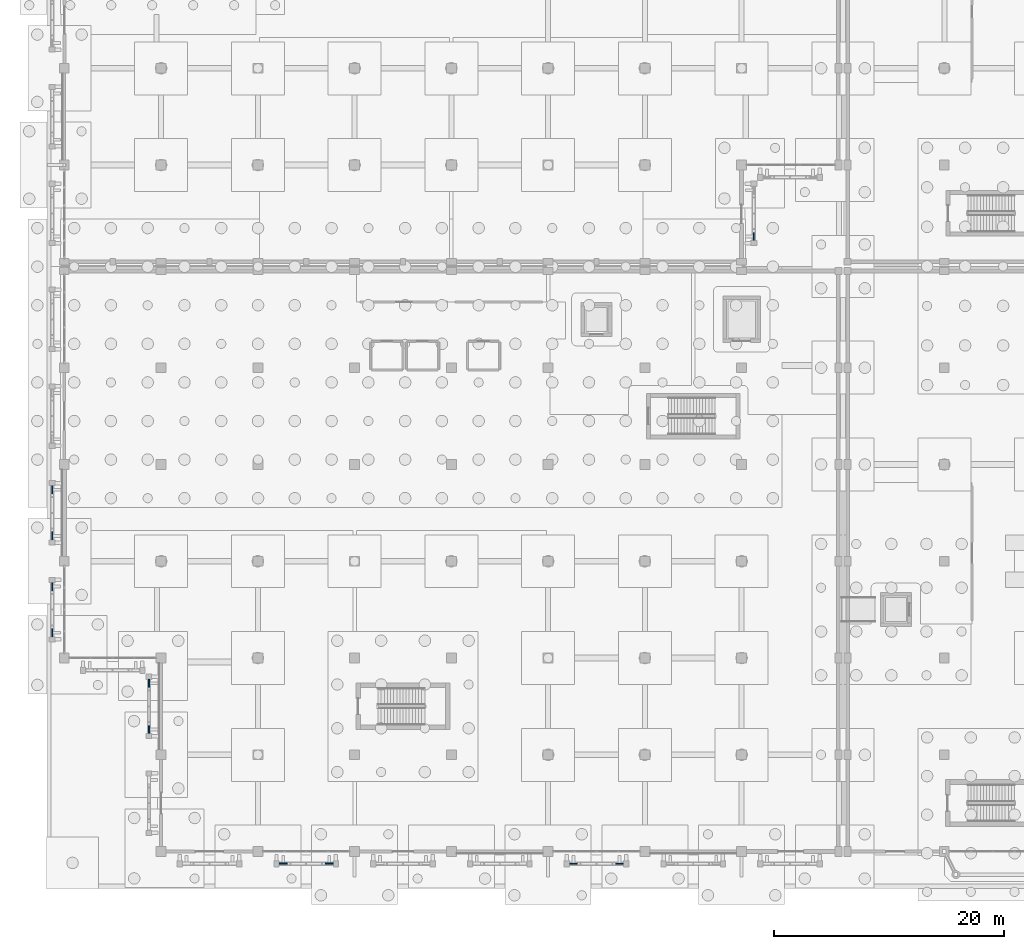
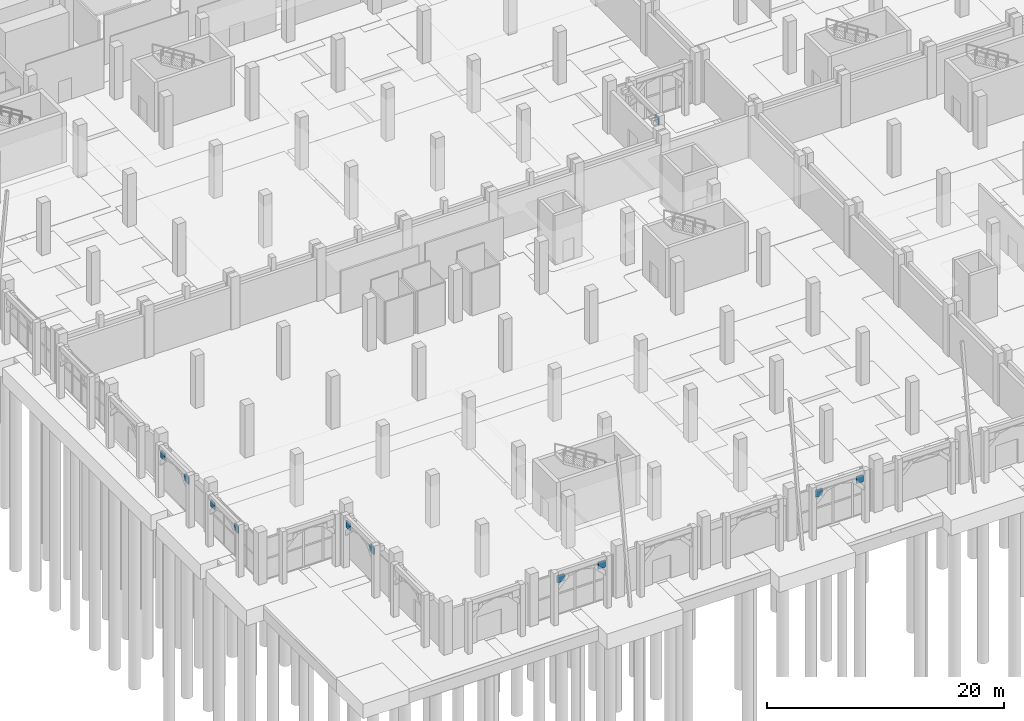
# One storey, part 57 of 98: 11 plates.
"""IFC4 building model written with IfcOpenShell, lengths in metres."""

from ifc_helpers import new_model, si_unit, direction, frame, origin, origin_2d, place, context, subcontext, project, spatial, rectangle, extrude, material, layer, layer_set, type_object, element, save


model = new_model("IFC4")

# Units and contexts
model_context = context("Model", 3, precision=1e-05, world=origin(), true_north=direction((0.0, 1.0)))
body_context = subcontext(model_context, "Body", "Model", "MODEL_VIEW")
ifc_project = project(units=[si_unit("LENGTHUNIT", "METRE"), si_unit("AREAUNIT", "SQUARE_METRE"), si_unit("VOLUMEUNIT", "CUBIC_METRE"), si_unit("PLANEANGLEUNIT", "RADIAN"), si_unit("MASSUNIT", "GRAM", prefix="KILO")], contexts=[model_context])

# Site, building, storey
site_placement = place(None, origin())
site = spatial("IfcSite", under=ifc_project, at=site_placement, CompositionType="ELEMENT")
building_placement = place(site_placement, origin())
building = spatial("IfcBuilding", under=site, at=building_placement, Name="Xazarin Passage Department Store", CompositionType="ELEMENT")
storey_placement = place(building_placement, origin())
storey = spatial("IfcBuildingStorey", under=building, at=storey_placement, Name="L00", CompositionType="ELEMENT", Elevation=0.0)

# Plates
ifc_material = material(Name="Precast concrete C40/50", Category="concrete")
ifc_layer_1 = layer(ifc_material, 0.080078125)
ifc_layer_set_1 = layer_set([ifc_layer_1], Name="Precast concrete C40/50")
plate_type_1 = type_object("IfcPlateType", Name="ARC-PLT-SCR-01", PredefinedType="USERDEFINED", material=ifc_layer_set_1)
for number, where, z_axis, x_axis, name in (
    (1, (-1.050048828125, 19.0, 4.16015625), (0.0, 0.0, 1.0), (0.0, 1.0, 0.0), "L00 V3 Arch Spandrel Tympanum 0261"),
    (2, (-1.050048828125, 23.0, 4.16015625), (0.0, 0.0, 1.0), (0.0, 1.0, 0.0), "L00 V3 Arch Spandrel Tympanum 0262"),
):
    element("IfcPlate", number, at=place(storey_placement, frame(where, z_axis=z_axis, x_axis=x_axis)), inside=storey, type_object=plate_type_1, Name=name, ObjectType="SCREEN PANEL", PredefinedType="USERDEFINED", context=body_context, shape_type="SweptSolid", body=[
        extrude(rectangle(XDim=0.679931640625, YDim=0.080078125, at=origin_2d()), origin(), (0.0, 0.0, 1.0), 0.719970703125),
    ])
ifc_layer_2 = layer(ifc_material, 0.10009765625)
ifc_layer_set_2 = layer_set([ifc_layer_2], Name="Precast concrete C40/50")
plate_type_2 = type_object("IfcPlateType", Name="ARC-PLT-SCR-03", PredefinedType="USERDEFINED", material=ifc_layer_set_2)
for number, where, z_axis, x_axis, name in (
    (3, (44.199951171875, -1.050048828125, 4.16015625), (0.0, 0.0, 1.0), (1.0, 0.0, 0.0), "L00 V3 Arch Spandrel Tympanum 0243"),
    (4, (48.199951171875, -1.050048828125, 4.16015625), (0.0, 0.0, 1.0), (1.0, 0.0, 0.0), "L00 V3 Arch Spandrel Tympanum 0244"),
    (5, (7.35009765625, 10.60009765625, 4.16015625), (0.0, 0.0, 1.0), (0.0, 1.0, 0.0), "L00 V3 Arch Spandrel Tympanum 0283"),
    (6, (7.35009765625, 14.60009765625, 4.16015625), (0.0, 0.0, 1.0), (0.0, 1.0, 0.0), "L00 V3 Arch Spandrel Tympanum 0284"),
):
    element("IfcPlate", number, at=place(storey_placement, frame(where, z_axis=z_axis, x_axis=x_axis)), inside=storey, type_object=plate_type_2, Name=name, ObjectType="SCREEN PANEL", PredefinedType="USERDEFINED", context=body_context, shape_type="SweptSolid", body=[
        extrude(rectangle(XDim=0.679931640625, YDim=0.10009765625, at=origin_2d()), origin(), (0.0, 0.0, 1.0), 0.719970703125),
    ])
ifc_layer_3 = layer(ifc_material, 0.1201171875)
ifc_layer_set_3 = layer_set([ifc_layer_3], Name="Precast concrete C40/50")
plate_type_3 = type_object("IfcPlateType", Name="ARC-PLT-SCR-05", PredefinedType="USERDEFINED", material=ifc_layer_set_3)
for number, where, z_axis, x_axis, name in (
    (7, (59.85009765625, 53.39990234375, 4.16015625), (0.0, 0.0, 1.0), (0.0, 1.0, 0.0), "L00 V1 Arch Spandrel Tympanum 0165"),
    (8, (19.0, -1.050048828125, 4.16015625), (0.0, 0.0, 1.0), (1.0, 0.0, 0.0), "L00 V3 Arch Spandrel Tympanum 0225"),
    (9, (23.0, -1.050048828125, 4.16015625), (0.0, 0.0, 1.0), (1.0, 0.0, 0.0), "L00 V3 Arch Spandrel Tympanum 0226"),
    (10, (-1.050048828125, 27.39990234375, 4.16015625), (0.0, 0.0, 1.0), (0.0, 1.0, 0.0), "L00 V3 Arch Spandrel Tympanum 0265"),
    (11, (-1.050048828125, 31.39990234375, 4.16015625), (0.0, 0.0, 1.0), (0.0, 1.0, 0.0), "L00 V3 Arch Spandrel Tympanum 0266"),
):
    element("IfcPlate", number, at=place(storey_placement, frame(where, z_axis=z_axis, x_axis=x_axis)), inside=storey, type_object=plate_type_3, Name=name, ObjectType="SCREEN PANEL", PredefinedType="USERDEFINED", context=body_context, shape_type="SweptSolid", body=[
        extrude(rectangle(XDim=0.679931640625, YDim=0.1201171875, at=origin_2d()), origin(), (0.0, 0.0, 1.0), 0.719970703125),
    ])

save(model, "model.ifc")
